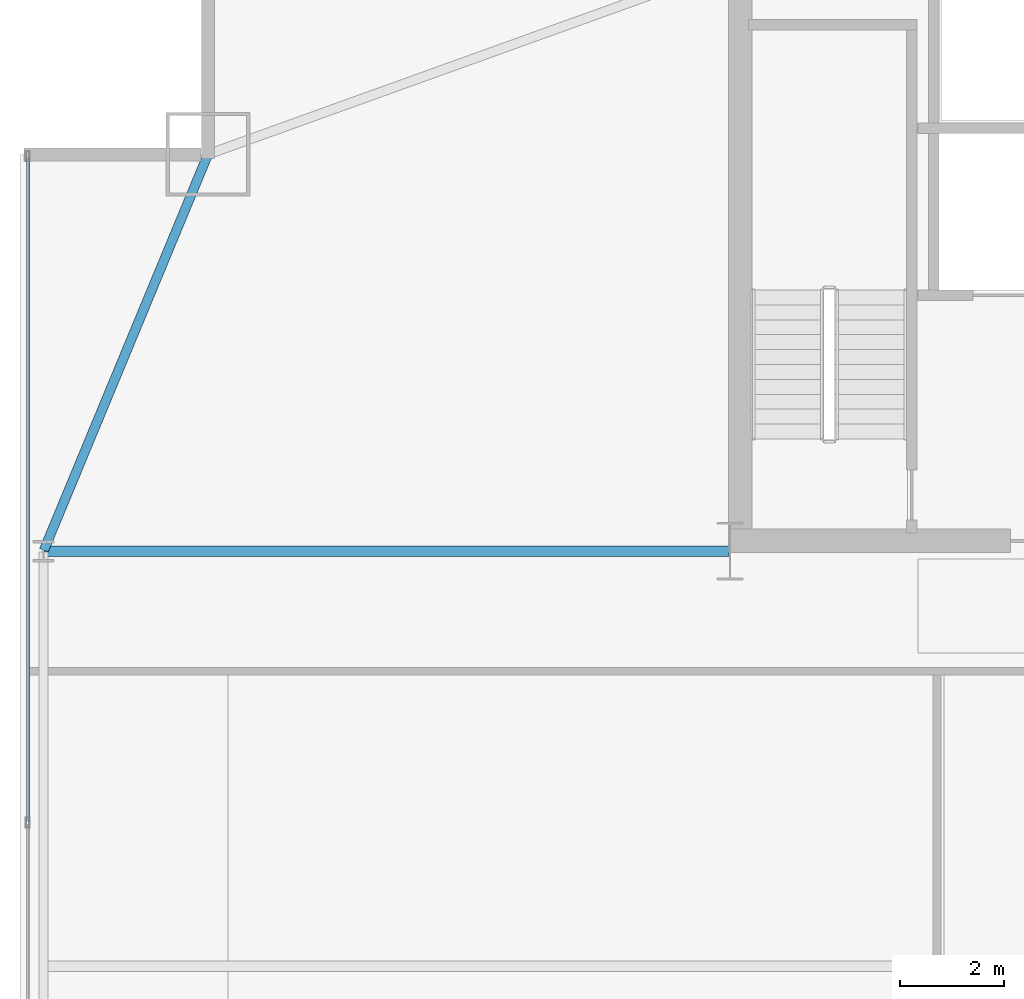
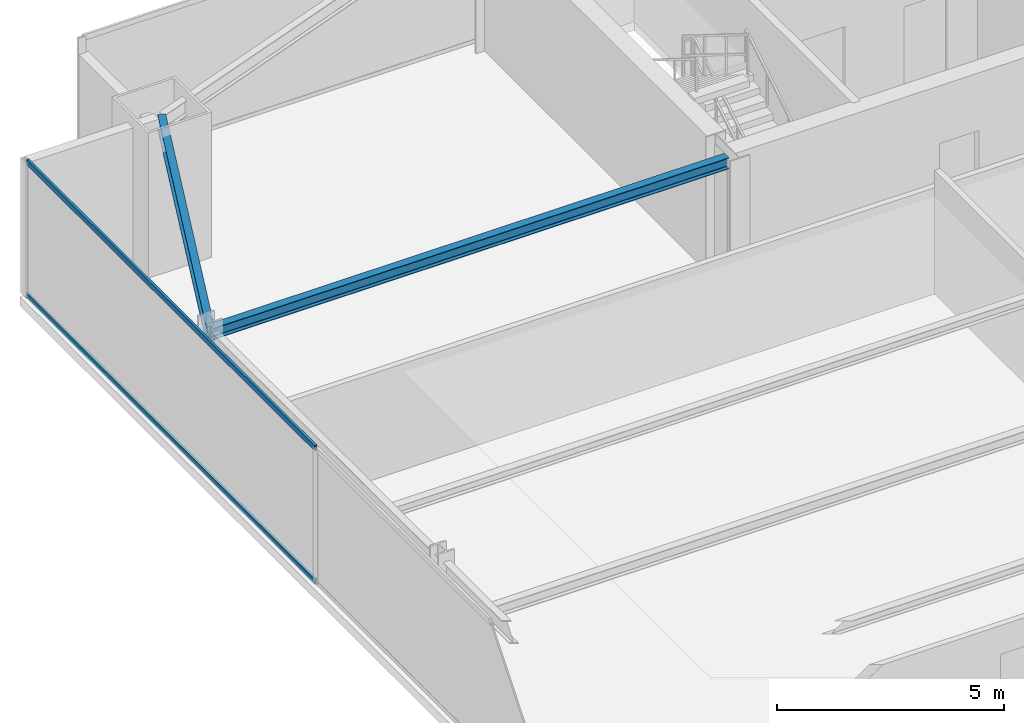
# One storey, part 21 of 30: 2 beams, 2 members, 1 element without a shape of its own.
"""IFC4 building model written with IfcOpenShell, lengths in metres."""

from ifc_helpers import new_model, si_unit, direction, frame, origin, origin_2d, place, context, subcontext, project, spatial, hollow_rectangle, i_section, extrude, source, transform, mapped, material, layer, layer_set, material_profile, profile_set, type_object, type_shapes, element, aggregate, save


model = new_model("IFC4")

# Units and contexts
model_context = context("Model", 3, precision=1e-05, world=origin(), true_north=direction((0.0, 1.0)))
body_context = subcontext(model_context, "Body", "Model", "MODEL_VIEW")
ifc_project = project(units=[si_unit("LENGTHUNIT", "METRE"), si_unit("AREAUNIT", "SQUARE_METRE"), si_unit("VOLUMEUNIT", "CUBIC_METRE"), si_unit("PLANEANGLEUNIT", "RADIAN"), si_unit("MASSUNIT", "GRAM", prefix="KILO")], contexts=[model_context])

# Site, building, storey
site_placement = place(None, origin())
site = spatial("IfcSite", under=ifc_project, at=site_placement, CompositionType="ELEMENT")
building_placement = place(site_placement, origin())
building = spatial("IfcBuilding", under=site, at=building_placement, Name="Varnel Quay Broadcast Tower", CompositionType="ELEMENT")
storey_placement = place(building_placement, frame((0.0, 0.0, 62.699951171875)))
storey = spatial("IfcBuildingStorey", under=building, at=storey_placement, Name="L14", CompositionType="ELEMENT", Elevation=62.699951171875)

# Beams
ifc_material_1 = material(Name="Structural Steel CSA G40.21 350W", Category="steel")
ifc_material_profile_1 = material_profile(ifc_material_1, i_section(OverallWidth=0.180908203125, OverallDepth=0.4169921875, WebThickness=0.010986328125, FlangeThickness=0.018310546875, FilletRadius=0.011962890625, at=origin_2d()), Name="W410X85")
ifc_profile_set_1 = profile_set([ifc_material_profile_1], Name="Structural Steel CSA G40.21 350W")
beam_type_1 = type_object("IfcBeamType", Name="Beam_W410X85", PredefinedType="SPANDREL", material=ifc_profile_set_1)
shared_shape_1 = source(origin(), body_context, "Body", "SweptSolid", [
    extrude(i_section(OverallWidth=0.180908203125, OverallDepth=0.4169921875, WebThickness=0.010986328125, FlangeThickness=0.018310546875, FilletRadius=0.011962890625, at=origin_2d()), origin(), (0.0, 0.0, 1.0), 8.186767578125),
])
type_shapes(beam_type_1, [shared_shape_1])
beam_1_placement = place(storey_placement, frame((2.457763671875, 35.618408203125, 3.441650390625), z_axis=(0.382874132092, 0.923800519038, 0.0), x_axis=(-0.923800519038, 0.382874132092, 0.0)))
element("IfcBeam", 1, at=beam_1_placement, inside=storey, type_object=beam_type_1, Name="L14 West Spandrel TC-W3-MC-NW", PredefinedType="SPANDREL", context=body_context, shape_type="MappedRepresentation", body=[
    mapped(shared_shape_1, transform((0.0, 0.0, 0.0), x_axis=(1.0, 0.0, 0.0), y_axis=(0.0, 1.0, 0.0), z_axis=(0.0, 0.0, 1.0), scale=1.0)),
])
ifc_material_profile_2 = material_profile(ifc_material_1, i_section(OverallWidth=0.202880859375, OverallDepth=0.302978515625, WebThickness=0.007568359375, FlangeThickness=0.01318359375, FilletRadius=0.011962890625, at=origin_2d()), Name="W310X60")
ifc_profile_set_2 = profile_set([ifc_material_profile_2], Name="Structural Steel CSA G40.21 350W")
beam_type_2 = type_object("IfcBeamType", Name="Beam_W310X60", PredefinedType="JOIST", material=ifc_profile_set_2)
shared_shape_2 = source(origin(), body_context, "Body", "SweptSolid", [
    extrude(i_section(OverallWidth=0.202880859375, OverallDepth=0.302978515625, WebThickness=0.007568359375, FlangeThickness=0.01318359375, FilletRadius=0.011962890625, at=origin_2d()), origin(), (0.0, 0.0, 1.0), 13.110107421875),
])
type_shapes(beam_type_2, [shared_shape_2])
beam_2_placement = place(storey_placement, frame((2.469970703125, 35.60009765625, 3.49853515625), z_axis=(1.0, 0.0, 0.0), x_axis=(0.0, 1.0, 0.0)))
element("IfcBeam", 2, at=beam_2_placement, inside=storey, type_object=beam_type_2, Name="L14 West Core Tie Joist", PredefinedType="JOIST", context=body_context, shape_type="MappedRepresentation", body=[
    mapped(shared_shape_2, transform((0.0, 0.0, 0.0), x_axis=(1.0, 0.0, 0.0), y_axis=(0.0, 1.0, 0.0), z_axis=(0.0, 0.0, 1.0), scale=1.0)),
])

# Curtain wall, members
ifc_material_2 = material(Name="Anodised Bronze Aluminium 6063-T6", Category="aluminium")
ifc_layer = layer(ifc_material_2, 0.18994140625, Name="Anodised Bronze Aluminium 6063-T6")
ifc_layer_set = layer_set([ifc_layer], Name="Anodised Bronze Aluminium 6063-T6")
curtain_wall_type = type_object("IfcCurtainWallType", Name="CW_LowerTower", PredefinedType="NOTDEFINED", material=ifc_layer_set)
curtain_wall_placement = place(storey_placement, origin())
curtain_wall = element("IfcCurtainWall", 3, at=curtain_wall_placement, inside=storey, type_object=curtain_wall_type, Name="L14 West Unitised Curtain Wall", PredefinedType="NOTDEFINED")
ifc_material_profile_3 = material_profile(ifc_material_2, hollow_rectangle(XDim=0.06005859375, YDim=0.14501953125, WallThickness=0.00341796875, at=origin_2d()), Name="ALU60X145X3.5")
ifc_profile_set_3 = profile_set([ifc_material_profile_3], Name="Anodised Bronze Aluminium 6063-T6")
member_type = type_object("IfcMemberType", Name="Tran_CWS-02", PredefinedType="USERDEFINED", material=ifc_profile_set_3)
shared_shape_3 = source(origin(), body_context, "Body", "SweptSolid", [
    extrude(hollow_rectangle(XDim=0.06005859375, YDim=0.14501953125, WallThickness=0.00341796875, at=origin_2d()), origin(), (0.0, 0.0, 1.0), 12.69482421875),
])
type_shapes(member_type, [shared_shape_3])
member_1_placement = place(storey_placement, frame((2.14990234375, 30.43505859375, 0.030029296875), z_axis=(0.0, 1.0, 0.0), x_axis=(-1.0, 0.0, 0.0)))
member_1 = element("IfcMember", 4, at=member_1_placement, type_object=member_type, Name="CWS-02 transom 3.1", ObjectType="TRANSOM", PredefinedType="USERDEFINED", context=body_context, shape_type="MappedRepresentation", body=[
    mapped(shared_shape_3, transform((0.0, 0.0, 0.0), x_axis=(1.0, 0.0, 0.0), y_axis=(0.0, 1.0, 0.0), z_axis=(0.0, 0.0, 1.0), scale=1.0)),
])
member_2_placement = place(storey_placement, frame((2.14990234375, 30.43505859375, 3.6201171875), z_axis=(0.0, 1.0, 0.0), x_axis=(-1.0, 0.0, 0.0)))
member_2 = element("IfcMember", 5, at=member_2_placement, type_object=member_type, Name="CWS-02 transom 3.2", ObjectType="TRANSOM", PredefinedType="USERDEFINED", context=body_context, shape_type="MappedRepresentation", body=[
    mapped(shared_shape_3, transform((0.0, 0.0, 0.0), x_axis=(1.0, 0.0, 0.0), y_axis=(0.0, 1.0, 0.0), z_axis=(0.0, 0.0, 1.0), scale=1.0)),
])
aggregate(curtain_wall, [member_1, member_2])

save(model, "model.ifc")
